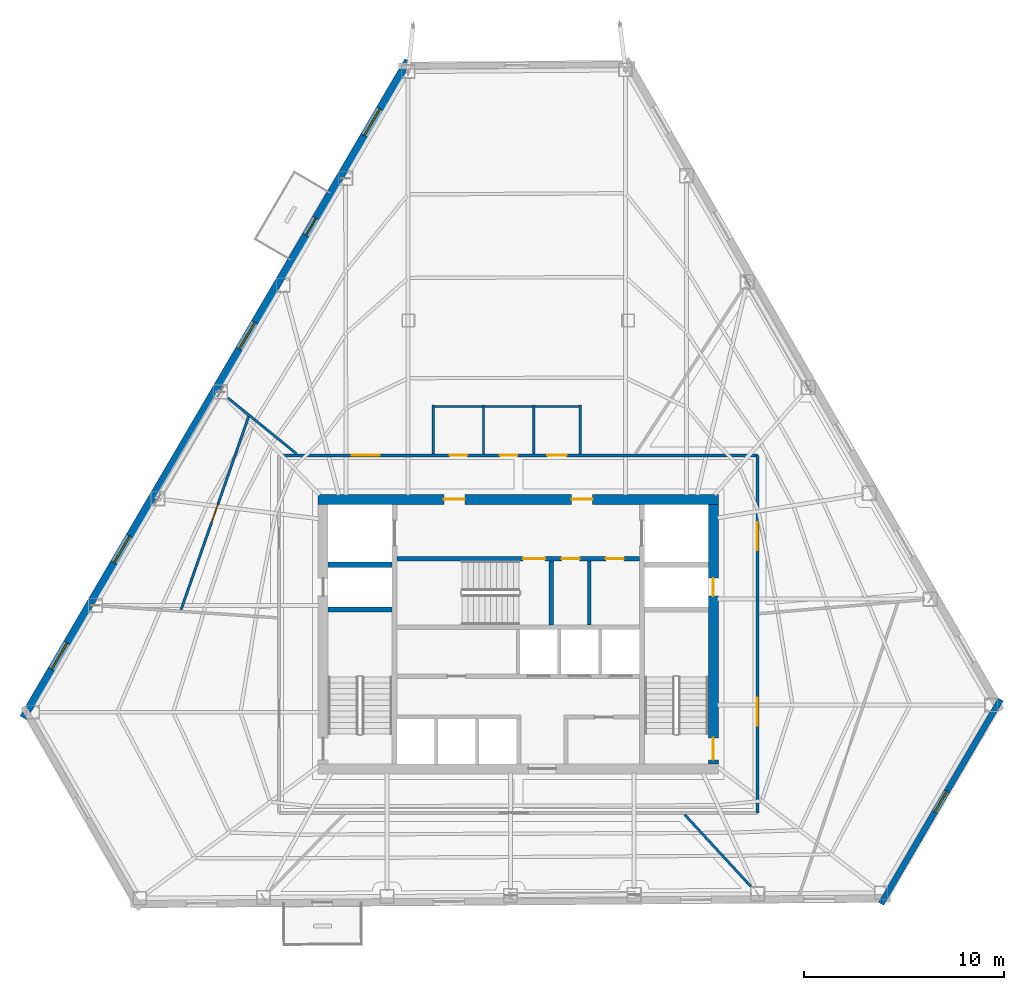
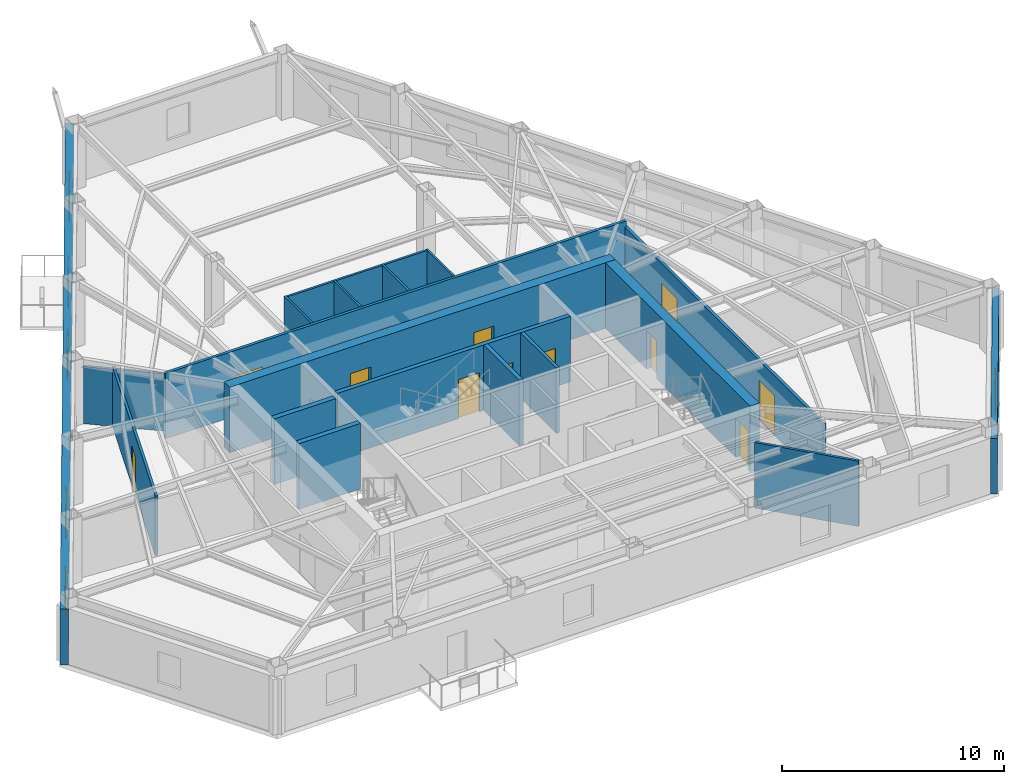
# One storey, part 9 of 12: 19 walls, 15 doors, 5 windows, 20 openings.
"""IFC4 building model written with IfcOpenShell, lengths in metres."""

from ifc_helpers import new_model, si_unit, direction, frame, frame_2d, origin, place, context, subcontext, project, spatial, rectangle, extrude, material, layer, layer_set, type_object, element, fill, save


model = new_model("IFC4")

# Units and contexts
model_context = context("Model", 3, precision=1e-05, world=origin(), true_north=direction((0.0, 1.0)))
body_context = subcontext(model_context, "Body", "Model", "MODEL_VIEW")
ifc_project = project(units=[si_unit("LENGTHUNIT", "METRE"), si_unit("AREAUNIT", "SQUARE_METRE"), si_unit("VOLUMEUNIT", "CUBIC_METRE"), si_unit("PLANEANGLEUNIT", "RADIAN"), si_unit("MASSUNIT", "GRAM", prefix="KILO")], contexts=[model_context])

# Site, building, storey
site_placement = place(None, origin())
site = spatial("IfcSite", under=ifc_project, at=site_placement, CompositionType="ELEMENT")
building_placement = place(site_placement, origin())
building = spatial("IfcBuilding", under=site, at=building_placement, Name="Kavelnor Concourse Tower", CompositionType="ELEMENT")
storey_placement = place(building_placement, frame((0.0, 0.0, 143.25)))
storey = spatial("IfcBuildingStorey", under=building, at=storey_placement, Name="L36", CompositionType="ELEMENT", Elevation=143.25)

# Wall, openings, doors
ifc_material_1 = material(Name="Concrete C60/75", Category="concrete")
ifc_layer_1 = layer(ifc_material_1, 0.5, Name="Concrete C60/75")
ifc_layer_set_1 = layer_set([ifc_layer_1], Name="Concrete C60/75")
wall_type_1 = type_object("IfcWallType", Name="WL-CORE-Z2-500", PredefinedType="SOLIDWALL", material=ifc_layer_set_1)
wall_1_placement = place(storey_placement, frame((27.97998046875, 22.85009765625, 0.0), z_axis=(0.0, 0.0, 1.0), x_axis=(1.0, 0.0, 0.0)))
wall_1 = element("IfcWall", 1, at=wall_1_placement, inside=storey, type_object=wall_type_1, Name="L36 Central Core North Shear Wall", PredefinedType="SOLIDWALL", context=body_context, shape_type="SweptSolid", body=[
    extrude(rectangle(XDim=20.0400390625, YDim=0.5, at=frame_2d((10.02001953125, 0.0))), origin(), (0.0, 0.0, 1.0), 3.60009765625),
])
opening_1_placement = place(wall_1_placement, frame((6.294921875, 0.0, 0.0)))
opening_1 = element("IfcOpeningElement", 2, at=opening_1_placement, cuts=wall_1, Name="Opening FD-105", PredefinedType="OPENING", context=body_context, shape_type="SweptSolid", body=[
    extrude(rectangle(XDim=1.050048828125, YDim=2.14990234375, at=frame_2d((0.52490234375, 1.074951171875))), frame((0.0, 0.260009765625, 0.0), z_axis=(0.0, -1.0, 0.0), x_axis=(1.0, 0.0, 0.0)), (0.0, 0.0, 1.0), 0.52001953125),
])
opening_2_placement = place(wall_1_placement, frame((12.695068359375, 0.0, 0.0)))
opening_2 = element("IfcOpeningElement", 3, at=opening_2_placement, cuts=wall_1, Name="Opening FD-105", PredefinedType="OPENING", context=body_context, shape_type="SweptSolid", body=[
    extrude(rectangle(XDim=1.050048828125, YDim=2.14990234375, at=frame_2d((0.52490234375, 1.074951171875))), frame((0.0, 0.260009765625, 0.0), z_axis=(0.0, -1.0, 0.0), x_axis=(1.0, 0.0, 0.0)), (0.0, 0.0, 1.0), 0.52001953125),
])
ifc_material_2 = material(Name="Steel Grade 350", Category="steel")
door_type_1 = type_object("IfcDoorType", Name="DR-LOBBY-FIRE-1050", OperationType="NOTDEFINED", PredefinedType="DOOR", material=ifc_material_2)
door_1_placement = place(opening_1_placement, origin())
door_1 = element("IfcDoor", 4, at=door_1_placement, inside=storey, type_object=door_type_1, Name="L36 Emergency Lift Lobby West Door", OperationType="SINGLE_SWING_LEFT", OverallHeight=2.14990234375, OverallWidth=1.050048828125, PredefinedType="DOOR", context=body_context, shape_type="SweptSolid", body=[
    extrude(rectangle(XDim=1.050048828125, YDim=2.14990234375, at=frame_2d((0.52490234375, 1.074951171875))), frame((0.0, 0.02490234375, 0.0), z_axis=(0.0, -1.0, 0.0), x_axis=(1.0, 0.0, 0.0)), (0.0, 0.0, 1.0), 0.050048828125),
])
fill(opening_1, door_1)
door_2_placement = place(opening_2_placement, origin())
door_2 = element("IfcDoor", 5, at=door_2_placement, inside=storey, type_object=door_type_1, Name="L36 Emergency Lift Lobby East Door", OperationType="SINGLE_SWING_RIGHT", OverallHeight=2.14990234375, OverallWidth=1.050048828125, PredefinedType="DOOR", context=body_context, shape_type="SweptSolid", body=[
    extrude(rectangle(XDim=1.050048828125, YDim=2.14990234375, at=frame_2d((0.52490234375, 1.074951171875))), frame((0.0, 0.02490234375, 0.0), z_axis=(0.0, -1.0, 0.0), x_axis=(1.0, 0.0, 0.0)), (0.0, 0.0, 1.0), 0.050048828125),
])
fill(opening_2, door_2)

wall_2_placement = place(storey_placement, frame((47.77001953125, 9.60009765625, 0.0), z_axis=(0.0, 0.0, 1.0), x_axis=(0.0, 1.0, 0.0)))
wall_2 = element("IfcWall", 6, at=wall_2_placement, inside=storey, type_object=wall_type_1, Name="L36 Central Core East Shear Wall", PredefinedType="SOLIDWALL", context=body_context, shape_type="SweptSolid", body=[
    extrude(rectangle(XDim=13.0, YDim=0.5, at=frame_2d((6.5, 0.0))), origin(), (0.0, 0.0, 1.0), 3.60009765625),
])
opening_3_placement = place(wall_2_placement, frame((0.199951171875, 0.0, 0.0)))
opening_3 = element("IfcOpeningElement", 7, at=opening_3_placement, cuts=wall_2, Name="Opening FD-110", PredefinedType="OPENING", context=body_context, shape_type="SweptSolid", body=[
    extrude(rectangle(XDim=1.10009765625, YDim=2.14990234375, at=frame_2d((0.550048828125, 1.074951171875))), frame((0.0, 0.260009765625, 0.0), z_axis=(0.0, -1.0, 0.0), x_axis=(1.0, 0.0, 0.0)), (0.0, 0.0, 1.0), 0.52001953125),
])
opening_4_placement = place(wall_2_placement, frame((8.39990234375, 0.0, 0.0)))
opening_4 = element("IfcOpeningElement", 8, at=opening_4_placement, cuts=wall_2, Name="Opening FD-090", PredefinedType="OPENING", context=body_context, shape_type="SweptSolid", body=[
    extrude(rectangle(XDim=0.89990234375, YDim=2.10009765625, at=frame_2d((0.449951171875, 1.050048828125))), frame((0.0, 0.260009765625, 0.0), z_axis=(0.0, -1.0, 0.0), x_axis=(1.0, 0.0, 0.0)), (0.0, 0.0, 1.0), 0.52001953125),
])
door_type_2 = type_object("IfcDoorType", Name="DR-RISER-FIRE-900", OperationType="NOTDEFINED", PredefinedType="DOOR", material=ifc_material_2)
door_3_placement = place(opening_4_placement, origin())
door_3 = element("IfcDoor", 9, at=door_3_placement, inside=storey, type_object=door_type_2, Name="L36 East Riser Access Door", OperationType="SINGLE_SWING_LEFT", OverallHeight=2.10009765625, OverallWidth=0.89990234375, PredefinedType="DOOR", context=body_context, shape_type="SweptSolid", body=[
    extrude(rectangle(XDim=0.89990234375, YDim=2.10009765625, at=frame_2d((0.449951171875, 1.050048828125))), frame((0.0, 0.02490234375, 0.0), z_axis=(0.0, -1.0, 0.0), x_axis=(1.0, 0.0, 0.0)), (0.0, 0.0, 1.0), 0.050048828125),
])
fill(opening_4, door_3)
door_type_3 = type_object("IfcDoorType", Name="DR-STAIR-FIRE-1100", OperationType="NOTDEFINED", PredefinedType="DOOR", material=ifc_material_2)
door_4_placement = place(opening_3_placement, origin())
door_4 = element("IfcDoor", 10, at=door_4_placement, inside=storey, type_object=door_type_3, Name="L36 Stair ST2 Fire Door", OperationType="SINGLE_SWING_RIGHT", OverallHeight=2.14990234375, OverallWidth=1.10009765625, PredefinedType="DOOR", context=body_context, shape_type="SweptSolid", body=[
    extrude(rectangle(XDim=1.10009765625, YDim=2.14990234375, at=frame_2d((0.550048828125, 1.074951171875))), frame((0.0, 0.02490234375, 0.0), z_axis=(0.0, -1.0, 0.0), x_axis=(1.0, 0.0, 0.0)), (0.0, 0.0, 1.0), 0.050048828125),
])
fill(opening_3, door_4)

# Wall, opening, window
ifc_material_3 = material(Name="Buff ironspot clay face brick masonry", Category="masonry")
ifc_layer_2 = layer(ifc_material_3, 0.300048828125, Name="Buff ironspot clay face brick masonry")
ifc_layer_set_2 = layer_set([ifc_layer_2], Name="Buff ironspot clay face brick masonry")
wall_type_2 = type_object("IfcWallType", Name="WL-EXT-BUFF-BRICK-FOLD-300", PredefinedType="STANDARD", material=ifc_layer_set_2)
wall_3_placement = place(storey_placement, frame((62.1513671875, 12.82861328125, 0.0), z_axis=(0.0, 0.0, 1.0), x_axis=(-0.50546204521, -0.862848840094, 0.0)))
wall_3 = element("IfcWall", 11, at=wall_3_placement, inside=storey, type_object=wall_type_2, Name="L36 Exterior Brick Facade Wall E4", PredefinedType="STANDARD", context=body_context, shape_type="SweptSolid", body=[
    extrude(rectangle(XDim=11.85302734375, YDim=0.300048828125, at=frame_2d((5.926513671875, 0.0))), origin(), (0.0, 0.0, 1.0), 3.05908203125),
])
opening_5_placement = place(wall_3_placement, frame((5.326416015625, 0.0, 0.64990234375)))
opening_5 = element("IfcOpeningElement", 12, at=opening_5_placement, cuts=wall_3, Name="Opening W-05", PredefinedType="OPENING", context=body_context, shape_type="SweptSolid", body=[
    extrude(rectangle(XDim=1.199951171875, YDim=1.699951171875, at=frame_2d((0.60009765625, 0.85009765625))), frame((0.0, 0.16015625, 0.0), z_axis=(0.0, -1.0, 0.0), x_axis=(1.0, 0.0, 0.0)), (0.0, 0.0, 1.0), 0.320068359375),
])
ifc_material_4 = material(Name="Double low-E argon insulated glazing", Category="glass")
window_type_1 = type_object("IfcWindowType", Name="WIN-FOLD-1200", PartitioningType="SINGLE_PANEL", PredefinedType="WINDOW", material=ifc_material_4)
window_1_placement = place(opening_5_placement, origin())
window_1 = element("IfcWindow", 13, at=window_1_placement, inside=storey, type_object=window_type_1, Name="L36 Chamfer-Fold Facet Window C2", OverallHeight=1.699951171875, OverallWidth=1.199951171875, PartitioningType="SINGLE_PANEL", PredefinedType="WINDOW", context=body_context, shape_type="SweptSolid", body=[
    extrude(rectangle(XDim=1.199951171875, YDim=1.699951171875, at=frame_2d((0.60009765625, 0.85009765625))), frame((0.0, 0.030029296875, 0.0), z_axis=(0.0, -1.0, 0.0), x_axis=(1.0, 0.0, 0.0)), (0.0, 0.0, 1.0), 0.06005859375),
])
fill(opening_5, window_1)

# Wall, openings, door, windows
ifc_material_5 = material(Name="Red-ochre clay face brick masonry", Category="masonry")
ifc_layer_3 = layer(ifc_material_5, 0.3798828125, Name="Red-ochre clay face brick masonry")
ifc_layer_set_3 = layer_set([ifc_layer_3], Name="Red-ochre clay face brick masonry")
wall_type_3 = type_object("IfcWallType", Name="WL-EXT-RED-BRICK-PIER-380", PredefinedType="STANDARD", material=ifc_layer_set_3)
wall_4_placement = place(storey_placement, frame((13.222900390625, 11.909912109375, 0.0), z_axis=(0.0, 0.0, 1.0), x_axis=(0.505453242286, 0.86285399684, 0.0)))
wall_4 = element("IfcWall", 14, at=wall_4_placement, inside=storey, type_object=wall_type_3, Name="L36 Exterior Brick Facade Wall E1", PredefinedType="STANDARD", context=body_context, shape_type="SweptSolid", body=[
    extrude(rectangle(XDim=38.125244140625, YDim=0.3798828125, at=frame_2d((19.0625, 0.0))), origin(), (0.0, 0.0, 1.0), 3.05908203125),
])
opening_6_placement = place(wall_4_placement, frame((27.993896484375, 0.0, 0.0)))
opening_6 = element("IfcOpeningElement", 15, at=opening_6_placement, cuts=wall_4, Name="Opening BD-100", PredefinedType="OPENING", context=body_context, shape_type="SweptSolid", body=[
    extrude(rectangle(XDim=1.0, YDim=2.199951171875, at=frame_2d((0.5, 1.10009765625))), frame((0.0, 0.199951171875, 0.0), z_axis=(0.0, -1.0, 0.0), x_axis=(1.0, 0.0, 0.0)), (0.0, 0.0, 1.0), 0.39990234375),
])
opening_7_placement = place(wall_4_placement, frame((33.779541015625, 0.0, 0.64990234375)))
opening_7 = element("IfcOpeningElement", 16, at=opening_7_placement, cuts=wall_4, Name="Opening W-02", PredefinedType="OPENING", context=body_context, shape_type="SweptSolid", body=[
    extrude(rectangle(XDim=1.550048828125, YDim=1.75, at=frame_2d((0.77490234375, 0.875))), frame((0.0, 0.199951171875, 0.0), z_axis=(0.0, -1.0, 0.0), x_axis=(1.0, 0.0, 0.0)), (0.0, 0.0, 1.0), 0.39990234375),
])
opening_8_placement = place(wall_4_placement, frame((21.38818359375, 0.0, 0.64990234375)))
opening_8 = element("IfcOpeningElement", 17, at=opening_8_placement, cuts=wall_4, Name="Opening W-02", PredefinedType="OPENING", context=body_context, shape_type="SweptSolid", body=[
    extrude(rectangle(XDim=1.550048828125, YDim=1.75, at=frame_2d((0.77490234375, 0.875))), frame((0.0, 0.199951171875, 0.0), z_axis=(0.0, -1.0, 0.0), x_axis=(1.0, 0.0, 0.0)), (0.0, 0.0, 1.0), 0.39990234375),
])
opening_9_placement = place(wall_4_placement, frame((8.997314453125, 0.0, 0.64990234375)))
opening_9 = element("IfcOpeningElement", 18, at=opening_9_placement, cuts=wall_4, Name="Opening W-02", PredefinedType="OPENING", context=body_context, shape_type="SweptSolid", body=[
    extrude(rectangle(XDim=1.550048828125, YDim=1.75, at=frame_2d((0.77490234375, 0.875))), frame((0.0, 0.199951171875, 0.0), z_axis=(0.0, -1.0, 0.0), x_axis=(1.0, 0.0, 0.0)), (0.0, 0.0, 1.0), 0.39990234375),
])
opening_10_placement = place(wall_4_placement, frame((2.801513671875, 0.0, 0.64990234375)))
opening_10 = element("IfcOpeningElement", 19, at=opening_10_placement, cuts=wall_4, Name="Opening W-02", PredefinedType="OPENING", context=body_context, shape_type="SweptSolid", body=[
    extrude(rectangle(XDim=1.550048828125, YDim=1.75, at=frame_2d((0.77490234375, 0.875))), frame((0.0, 0.199951171875, 0.0), z_axis=(0.0, -1.0, 0.0), x_axis=(1.0, 0.0, 0.0)), (0.0, 0.0, 1.0), 0.39990234375),
])
ifc_material_6 = material(Name="Anodised aluminium 6063-T6", Category="aluminium")
door_type_4 = type_object("IfcDoorType", Name="DR-BALCONY-EXT-1000", OperationType="NOTDEFINED", PredefinedType="DOOR", material=ifc_material_6)
door_5_placement = place(opening_6_placement, origin())
door_5 = element("IfcDoor", 20, at=door_5_placement, inside=storey, type_object=door_type_4, Name="L36 Tree Balcony 1 Glazed Door", OperationType="SINGLE_SWING_LEFT", OverallHeight=2.199951171875, OverallWidth=1.0, PredefinedType="DOOR", context=body_context, shape_type="SweptSolid", body=[
    extrude(rectangle(XDim=1.0, YDim=2.199951171875, at=frame_2d((0.5, 1.10009765625))), frame((0.0, 0.02490234375, 0.0), z_axis=(0.0, -1.0, 0.0), x_axis=(1.0, 0.0, 0.0)), (0.0, 0.0, 1.0), 0.050048828125),
])
fill(opening_6, door_5)
window_type_2 = type_object("IfcWindowType", Name="WIN-PIER-Z2-1650", PartitioningType="SINGLE_PANEL", PredefinedType="WINDOW", material=ifc_material_4)
window_2_placement = place(opening_7_placement, origin())
window_2 = element("IfcWindow", 21, at=window_2_placement, inside=storey, type_object=window_type_2, Name="L36 Deep-Set Brick Pier Window F0-B0", OverallHeight=1.75, OverallWidth=1.550048828125, PartitioningType="SINGLE_PANEL", PredefinedType="WINDOW", context=body_context, shape_type="SweptSolid", body=[
    extrude(rectangle(XDim=1.550048828125, YDim=1.75, at=frame_2d((0.77490234375, 0.875))), frame((0.0, 0.030029296875, 0.0), z_axis=(0.0, -1.0, 0.0), x_axis=(1.0, 0.0, 0.0)), (0.0, 0.0, 1.0), 0.06005859375),
])
fill(opening_7, window_2)
window_3_placement = place(opening_8_placement, origin())
window_3 = element("IfcWindow", 22, at=window_3_placement, inside=storey, type_object=window_type_2, Name="L36 Deep-Set Brick Pier Window F0-B2", OverallHeight=1.75, OverallWidth=1.550048828125, PartitioningType="SINGLE_PANEL", PredefinedType="WINDOW", context=body_context, shape_type="SweptSolid", body=[
    extrude(rectangle(XDim=1.550048828125, YDim=1.75, at=frame_2d((0.77490234375, 0.875))), frame((0.0, 0.030029296875, 0.0), z_axis=(0.0, -1.0, 0.0), x_axis=(1.0, 0.0, 0.0)), (0.0, 0.0, 1.0), 0.06005859375),
])
fill(opening_8, window_3)
window_4_placement = place(opening_9_placement, origin())
window_4 = element("IfcWindow", 23, at=window_4_placement, inside=storey, type_object=window_type_2, Name="L36 Deep-Set Brick Pier Window F0-B4", OverallHeight=1.75, OverallWidth=1.550048828125, PartitioningType="SINGLE_PANEL", PredefinedType="WINDOW", context=body_context, shape_type="SweptSolid", body=[
    extrude(rectangle(XDim=1.550048828125, YDim=1.75, at=frame_2d((0.77490234375, 0.875))), frame((0.0, 0.030029296875, 0.0), z_axis=(0.0, -1.0, 0.0), x_axis=(1.0, 0.0, 0.0)), (0.0, 0.0, 1.0), 0.06005859375),
])
fill(opening_9, window_4)
window_5_placement = place(opening_10_placement, origin())
window_5 = element("IfcWindow", 24, at=window_5_placement, inside=storey, type_object=window_type_2, Name="L36 Deep-Set Brick Pier Window F0-B5", OverallHeight=1.75, OverallWidth=1.550048828125, PartitioningType="SINGLE_PANEL", PredefinedType="WINDOW", context=body_context, shape_type="SweptSolid", body=[
    extrude(rectangle(XDim=1.550048828125, YDim=1.75, at=frame_2d((0.77490234375, 0.875))), frame((0.0, 0.030029296875, 0.0), z_axis=(0.0, -1.0, 0.0), x_axis=(1.0, 0.0, 0.0)), (0.0, 0.0, 1.0), 0.06005859375),
])
fill(opening_10, window_5)

# Wall, openings, doors
ifc_material_7 = material(Name="Gypsum plasterboard on light-gauge steel studs", Category="steel")
ifc_layer_4 = layer(ifc_material_7, 0.14501953125, Name="Gypsum plasterboard on light-gauge steel studs")
ifc_layer_set_4 = layer_set([ifc_layer_4], Name="Gypsum plasterboard on light-gauge steel studs")
wall_type_4 = type_object("IfcWallType", Name="WL-INT-CORR-145", PredefinedType="PARTITIONING", material=ifc_layer_set_4)
wall_5_placement = place(storey_placement, frame((49.969970703125, 7.14990234375, 0.0), z_axis=(0.0, 0.0, 1.0), x_axis=(0.0, 1.0, 0.0)))
wall_5 = element("IfcWall", 25, at=wall_5_placement, inside=storey, type_object=wall_type_4, Name="L36 Corridor Wall WL-L36-CR-01", PredefinedType="PARTITIONING", context=body_context, shape_type="SweptSolid", body=[
    extrude(rectangle(XDim=17.900146484375, YDim=0.14501953125, at=frame_2d((8.9501953125, 0.0))), origin(), (0.0, 0.0, 1.0), 3.2880859375),
])
opening_11_placement = place(wall_5_placement, frame((13.15087890625, 0.0, 0.0)))
opening_11 = element("IfcOpeningElement", 26, at=opening_11_placement, cuts=wall_5, Name="Opening SD-140", PredefinedType="OPENING", context=body_context, shape_type="SweptSolid", body=[
    extrude(rectangle(XDim=1.39990234375, YDim=2.199951171875, at=frame_2d((0.699951171875, 1.10009765625))), frame((0.0, 0.08251953125, 0.0), z_axis=(0.0, -1.0, 0.0), x_axis=(1.0, 0.0, 0.0)), (0.0, 0.0, 1.0), 0.1650390625),
])
opening_12_placement = place(wall_5_placement, frame((4.371826171875, 0.0, 0.0)))
opening_12 = element("IfcOpeningElement", 27, at=opening_12_placement, cuts=wall_5, Name="Opening SD-140", PredefinedType="OPENING", context=body_context, shape_type="SweptSolid", body=[
    extrude(rectangle(XDim=1.39990234375, YDim=2.199951171875, at=frame_2d((0.699951171875, 1.10009765625))), frame((0.0, 0.08251953125, 0.0), z_axis=(0.0, -1.0, 0.0), x_axis=(1.0, 0.0, 0.0)), (0.0, 0.0, 1.0), 0.1650390625),
])
ifc_material_8 = material(Name="Solid-core hardwood timber", Category="wood")
door_type_5 = type_object("IfcDoorType", Name="DR-SUITE-ENTRY-1400", OperationType="NOTDEFINED", PredefinedType="DOOR", material=ifc_material_8)
door_6_placement = place(opening_11_placement, origin())
door_6 = element("IfcDoor", 28, at=door_6_placement, inside=storey, type_object=door_type_5, Name="L36 Building Staff Breakroom 01 Door", OperationType="SINGLE_SWING_RIGHT", OverallHeight=2.199951171875, OverallWidth=1.39990234375, PredefinedType="DOOR", context=body_context, shape_type="SweptSolid", body=[
    extrude(rectangle(XDim=1.39990234375, YDim=2.199951171875, at=frame_2d((0.699951171875, 1.10009765625))), frame((0.0, 0.02490234375, 0.0), z_axis=(0.0, -1.0, 0.0), x_axis=(1.0, 0.0, 0.0)), (0.0, 0.0, 1.0), 0.050048828125),
])
fill(opening_11, door_6)
door_7_placement = place(opening_12_placement, origin())
door_7 = element("IfcDoor", 29, at=door_7_placement, inside=storey, type_object=door_type_5, Name="L36 Workplace Open Office 07 Door", OperationType="SINGLE_SWING_RIGHT", OverallHeight=2.199951171875, OverallWidth=1.39990234375, PredefinedType="DOOR", context=body_context, shape_type="SweptSolid", body=[
    extrude(rectangle(XDim=1.39990234375, YDim=2.199951171875, at=frame_2d((0.699951171875, 1.10009765625))), frame((0.0, 0.02490234375, 0.0), z_axis=(0.0, -1.0, 0.0), x_axis=(1.0, 0.0, 0.0)), (0.0, 0.0, 1.0), 0.050048828125),
])
fill(opening_12, door_7)

wall_6_placement = place(storey_placement, frame((49.969970703125, 25.050048828125, 0.0), z_axis=(0.0, 0.0, 1.0), x_axis=(-1.0, 0.0, 0.0)))
wall_6 = element("IfcWall", 30, at=wall_6_placement, inside=storey, type_object=wall_type_4, Name="L36 Corridor Wall WL-L36-CR-02", PredefinedType="PARTITIONING", context=body_context, shape_type="SweptSolid", body=[
    extrude(rectangle(XDim=23.93994140625, YDim=0.14501953125, at=frame_2d((11.969970703125, 0.0))), origin(), (0.0, 0.0, 1.0), 3.60009765625),
])
opening_13_placement = place(wall_6_placement, frame((14.530029296875, 0.0, 0.0)))
opening_13 = element("IfcOpeningElement", 31, at=opening_13_placement, cuts=wall_6, Name="Opening WD-088", PredefinedType="OPENING", context=body_context, shape_type="SweptSolid", body=[
    extrude(rectangle(XDim=0.8798828125, YDim=2.10009765625, at=frame_2d((0.43994140625, 1.050048828125))), frame((0.0, 0.08251953125, 0.0), z_axis=(0.0, -1.0, 0.0), x_axis=(1.0, 0.0, 0.0)), (0.0, 0.0, 1.0), 0.1650390625),
])
opening_14_placement = place(wall_6_placement, frame((12.010009765625, 0.0, 0.0)))
opening_14 = element("IfcOpeningElement", 32, at=opening_14_placement, cuts=wall_6, Name="Opening WD-088", PredefinedType="OPENING", context=body_context, shape_type="SweptSolid", body=[
    extrude(rectangle(XDim=0.8798828125, YDim=2.10009765625, at=frame_2d((0.43994140625, 1.050048828125))), frame((0.0, 0.08251953125, 0.0), z_axis=(0.0, -1.0, 0.0), x_axis=(1.0, 0.0, 0.0)), (0.0, 0.0, 1.0), 0.1650390625),
])
opening_15_placement = place(wall_6_placement, frame((9.550048828125, 0.0, 0.0)))
opening_15 = element("IfcOpeningElement", 33, at=opening_15_placement, cuts=wall_6, Name="Opening WD-096", PredefinedType="OPENING", context=body_context, shape_type="SweptSolid", body=[
    extrude(rectangle(XDim=0.9599609375, YDim=2.10009765625, at=frame_2d((0.47998046875, 1.050048828125))), frame((0.0, 0.08251953125, 0.0), z_axis=(0.0, -1.0, 0.0), x_axis=(1.0, 0.0, 0.0)), (0.0, 0.0, 1.0), 0.1650390625),
])
opening_16_placement = place(wall_6_placement, frame((18.893798828125, 0.0, 0.0)))
opening_16 = element("IfcOpeningElement", 34, at=opening_16_placement, cuts=wall_6, Name="Opening SD-140", PredefinedType="OPENING", context=body_context, shape_type="SweptSolid", body=[
    extrude(rectangle(XDim=1.39990234375, YDim=2.199951171875, at=frame_2d((0.699951171875, 1.10009765625))), frame((0.0, 0.08251953125, 0.0), z_axis=(0.0, -1.0, 0.0), x_axis=(1.0, 0.0, 0.0)), (0.0, 0.0, 1.0), 0.1650390625),
])
door_8_placement = place(opening_16_placement, origin())
door_8 = element("IfcDoor", 35, at=door_8_placement, inside=storey, type_object=door_type_5, Name="L36 Tenant Bookstore Retail Shop 02 Door", OperationType="SINGLE_SWING_LEFT", OverallHeight=2.199951171875, OverallWidth=1.39990234375, PredefinedType="DOOR", context=body_context, shape_type="SweptSolid", body=[
    extrude(rectangle(XDim=1.39990234375, YDim=2.199951171875, at=frame_2d((0.699951171875, 1.10009765625))), frame((0.0, 0.02490234375, 0.0), z_axis=(0.0, -1.0, 0.0), x_axis=(1.0, 0.0, 0.0)), (0.0, 0.0, 1.0), 0.050048828125),
])
fill(opening_16, door_8)
door_type_6 = type_object("IfcDoorType", Name="DR-WC-ACC-960", OperationType="NOTDEFINED", PredefinedType="DOOR", material=ifc_material_8)
door_9_placement = place(opening_15_placement, origin())
door_9 = element("IfcDoor", 36, at=door_9_placement, inside=storey, type_object=door_type_6, Name="L36 Accessible WC Door", OperationType="SINGLE_SWING_RIGHT", OverallHeight=2.10009765625, OverallWidth=0.9599609375, PredefinedType="DOOR", context=body_context, shape_type="SweptSolid", body=[
    extrude(rectangle(XDim=0.9599609375, YDim=2.10009765625, at=frame_2d((0.47998046875, 1.050048828125))), frame((0.0, 0.02490234375, 0.0), z_axis=(0.0, -1.0, 0.0), x_axis=(1.0, 0.0, 0.0)), (0.0, 0.0, 1.0), 0.050048828125),
])
fill(opening_15, door_9)
door_type_7 = type_object("IfcDoorType", Name="DR-WC-STD-880", OperationType="NOTDEFINED", PredefinedType="DOOR", material=ifc_material_8)
door_10_placement = place(opening_13_placement, origin())
door_10 = element("IfcDoor", 37, at=door_10_placement, inside=storey, type_object=door_type_7, Name="L36 Male WC Door", OperationType="SINGLE_SWING_RIGHT", OverallHeight=2.10009765625, OverallWidth=0.8798828125, PredefinedType="DOOR", context=body_context, shape_type="SweptSolid", body=[
    extrude(rectangle(XDim=0.8798828125, YDim=2.10009765625, at=frame_2d((0.43994140625, 1.050048828125))), frame((0.0, 0.02490234375, 0.0), z_axis=(0.0, -1.0, 0.0), x_axis=(1.0, 0.0, 0.0)), (0.0, 0.0, 1.0), 0.050048828125),
])
fill(opening_13, door_10)
door_11_placement = place(opening_14_placement, origin())
door_11 = element("IfcDoor", 38, at=door_11_placement, inside=storey, type_object=door_type_7, Name="L36 Female WC Door", OperationType="SINGLE_SWING_LEFT", OverallHeight=2.10009765625, OverallWidth=0.8798828125, PredefinedType="DOOR", context=body_context, shape_type="SweptSolid", body=[
    extrude(rectangle(XDim=0.8798828125, YDim=2.10009765625, at=frame_2d((0.43994140625, 1.050048828125))), frame((0.0, 0.02490234375, 0.0), z_axis=(0.0, -1.0, 0.0), x_axis=(1.0, 0.0, 0.0)), (0.0, 0.0, 1.0), 0.050048828125),
])
fill(opening_14, door_11)

# Walls
ifc_layer_5 = layer(ifc_material_7, 0.1650390625, Name="Gypsum plasterboard on light-gauge steel studs")
ifc_layer_set_5 = layer_set([ifc_layer_5], Name="Gypsum plasterboard on light-gauge steel studs")
wall_type_5 = type_object("IfcWallType", Name="WL-INT-FIRE-165", PredefinedType="PARTITIONING", material=ifc_layer_set_5)
wall_7_placement = place(storey_placement, frame((41.550048828125, 16.56005859375, 0.0), z_axis=(0.0, 0.0, 1.0), x_axis=(0.0, 1.0, 0.0)))
element("IfcWall", 39, at=wall_7_placement, inside=storey, type_object=wall_type_5, Name="L36 Core North Support Divider", PredefinedType="PARTITIONING", context=body_context, shape_type="SweptSolid", body=[
    extrude(rectangle(XDim=3.199951171875, YDim=0.1650390625, at=frame_2d((1.60009765625, 0.0))), origin(), (0.0, 0.0, 1.0), 3.60009765625),
])
ifc_layer_6 = layer(ifc_material_7, 0.125, Name="Gypsum plasterboard on light-gauge steel studs")
ifc_layer_set_6 = layer_set([ifc_layer_6], Name="Gypsum plasterboard on light-gauge steel studs")
wall_type_6 = type_object("IfcWallType", Name="WL-INT-SUITE-125", PredefinedType="PARTITIONING", material=ifc_layer_set_6)
wall_8_placement = place(storey_placement, frame((26.896484375, 25.130615234375, 0.0), z_axis=(0.0, 0.0, 1.0), x_axis=(-0.775820524707, 0.630953653958, 0.0)))
element("IfcWall", 40, at=wall_8_placement, inside=storey, type_object=wall_type_6, Name="L36 Radial Suite Partition 03", PredefinedType="PARTITIONING", context=body_context, shape_type="SweptSolid", body=[
    extrude(rectangle(XDim=4.428955078125, YDim=0.125, at=frame_2d((2.21435546875, 0.0))), origin(), (0.0, 0.0, 1.0), 3.14111328125),
])
wall_9_placement = place(storey_placement, frame((46.323486328125, 7.069580078125, 0.0), z_axis=(0.0, 0.0, 1.0), x_axis=(0.677760289315, -0.735282932094, 0.0)))
element("IfcWall", 41, at=wall_9_placement, inside=storey, type_object=wall_type_6, Name="L36 Radial Suite Partition 06", PredefinedType="PARTITIONING", context=body_context, shape_type="SweptSolid", body=[
    extrude(rectangle(XDim=4.89794921875, YDim=0.125, at=frame_2d((2.448974609375, 0.0))), origin(), (0.0, 0.0, 1.0), 3.60009765625),
])

# Wall, opening, door
wall_10_placement = place(storey_placement, frame((24.5224609375, 27.0419921875, 0.0), z_axis=(0.0, 0.0, 1.0), x_axis=(-0.330346228004, -0.943859825209, 0.0)))
wall_10 = element("IfcWall", 42, at=wall_10_placement, inside=storey, type_object=wall_type_6, Name="L36 Suite Subdivision Partition 03", PredefinedType="PARTITIONING", context=body_context, shape_type="SweptSolid", body=[
    extrude(rectangle(XDim=10.364990234375, YDim=0.125, at=frame_2d((5.1826171875, 0.0))), origin(), (0.0, 0.0, 1.0), 3.2880859375),
])
opening_17_placement = place(wall_10_placement, frame((4.6953125, 0.0, 0.0)))
opening_17 = element("IfcOpeningElement", 43, at=opening_17_placement, cuts=wall_10, Name="Opening OD-098", PredefinedType="OPENING", context=body_context, shape_type="SweptSolid", body=[
    extrude(rectangle(XDim=0.97998046875, YDim=2.14990234375, at=frame_2d((0.489990234375, 1.074951171875))), frame((0.0, 0.072509765625, 0.0), z_axis=(0.0, -1.0, 0.0), x_axis=(1.0, 0.0, 0.0)), (0.0, 0.0, 1.0), 0.14501953125),
])
door_type_8 = type_object("IfcDoorType", Name="DR-OFFICE-980", OperationType="NOTDEFINED", PredefinedType="DOOR", material=ifc_material_8)
door_12_placement = place(opening_17_placement, origin())
door_12 = element("IfcDoor", 44, at=door_12_placement, inside=storey, type_object=door_type_8, Name="L36 Building Staff Breakroom 04 Door", OperationType="SINGLE_SWING_LEFT", OverallHeight=2.14990234375, OverallWidth=0.97998046875, PredefinedType="DOOR", context=body_context, shape_type="SweptSolid", body=[
    extrude(rectangle(XDim=0.97998046875, YDim=2.14990234375, at=frame_2d((0.489990234375, 1.074951171875))), frame((0.0, 0.02490234375, 0.0), z_axis=(0.0, -1.0, 0.0), x_axis=(1.0, 0.0, 0.0)), (0.0, 0.0, 1.0), 0.050048828125),
])
fill(opening_17, door_12)

# Walls
ifc_layer_7 = layer(ifc_material_7, 0.110107421875, Name="Gypsum plasterboard on light-gauge steel studs")
ifc_layer_set_7 = layer_set([ifc_layer_7], Name="Gypsum plasterboard on light-gauge steel studs")
wall_type_7 = type_object("IfcWallType", Name="WL-INT-WC-110", PredefinedType="PLUMBINGWALL", material=ifc_layer_set_7)
for number, where, z_axis, x_axis, name in (
    (45, (33.739990234375, 25.1201171875, 0.0), (0.0, 0.0, 1.0), (0.0, 1.0, 0.0), "L36 Sanitary Partition WL-L36-WC-W"),
    (46, (36.260009765625, 25.1201171875, 0.0), (0.0, 0.0, 1.0), (0.0, 1.0, 0.0), "L36 Sanitary Partition WL-L36-WC-D1"),
    (47, (38.780029296875, 25.1201171875, 0.0), (0.0, 0.0, 1.0), (0.0, 1.0, 0.0), "L36 Sanitary Partition WL-L36-WC-D2"),
    (48, (41.10009765625, 25.1201171875, 0.0), (0.0, 0.0, 1.0), (0.0, 1.0, 0.0), "L36 Sanitary Partition WL-L36-WC-E"),
):
    element("IfcWall", number, at=place(storey_placement, frame(where, z_axis=z_axis, x_axis=x_axis)), inside=storey, type_object=wall_type_7, Name=name, PredefinedType="PLUMBINGWALL", context=body_context, shape_type="SweptSolid", body=[
        extrude(rectangle(XDim=2.43994140625, YDim=0.110107421875, at=frame_2d((1.219970703125, 0.0))), origin(), (0.0, 0.0, 1.0), 3.60009765625),
    ])
wall_11_placement = place(storey_placement, frame((33.68994140625, 27.5, 0.0), z_axis=(0.0, 0.0, 1.0), x_axis=(1.0, 0.0, 0.0)))
element("IfcWall", 49, at=wall_11_placement, inside=storey, type_object=wall_type_7, Name="L36 Sanitary Partition WL-L36-WC-N", PredefinedType="PLUMBINGWALL", context=body_context, shape_type="SweptSolid", body=[
    extrude(rectangle(XDim=7.4599609375, YDim=0.110107421875, at=frame_2d((3.72998046875, 0.0))), origin(), (0.0, 0.0, 1.0), 3.60009765625),
])

# Wall, openings, doors
ifc_material_9 = material(Name="Concrete C50/60", Category="concrete")
ifc_layer_8 = layer(ifc_material_9, 0.219970703125, Name="Concrete C50/60")
ifc_layer_set_8 = layer_set([ifc_layer_8], Name="Concrete C50/60")
wall_type_8 = type_object("IfcWallType", Name="WL-SHAFT-220", PredefinedType="SOLIDWALL", material=ifc_layer_set_8)
wall_12_placement = place(storey_placement, frame((31.93994140625, 19.8701171875, 0.0), z_axis=(0.0, 0.0, 1.0), x_axis=(1.0, 0.0, 0.0)))
wall_12 = element("IfcWall", 50, at=wall_12_placement, inside=storey, type_object=wall_type_8, Name="L36 Emergency Lift Lobby South Wall", PredefinedType="SOLIDWALL", context=body_context, shape_type="SweptSolid", body=[
    extrude(rectangle(XDim=12.1201171875, YDim=0.219970703125, at=frame_2d((6.06005859375, 0.0))), origin(), (0.0, 0.0, 1.0), 3.60009765625),
])
opening_18_placement = place(wall_12_placement, frame((6.300048828125, 0.0, 0.0)))
opening_18 = element("IfcOpeningElement", 51, at=opening_18_placement, cuts=wall_12, Name="Opening FD-110", PredefinedType="OPENING", context=body_context, shape_type="SweptSolid", body=[
    extrude(rectangle(XDim=1.10009765625, YDim=2.14990234375, at=frame_2d((0.550048828125, 1.074951171875))), frame((0.0, 0.1201171875, 0.0), z_axis=(0.0, -1.0, 0.0), x_axis=(1.0, 0.0, 0.0)), (0.0, 0.0, 1.0), 0.239990234375),
])
opening_19_placement = place(wall_12_placement, frame((8.22998046875, 0.0, 0.0)))
opening_19 = element("IfcOpeningElement", 52, at=opening_19_placement, cuts=wall_12, Name="Opening FD-090", PredefinedType="OPENING", context=body_context, shape_type="SweptSolid", body=[
    extrude(rectangle(XDim=0.89990234375, YDim=2.10009765625, at=frame_2d((0.449951171875, 1.050048828125))), frame((0.0, 0.1201171875, 0.0), z_axis=(0.0, -1.0, 0.0), x_axis=(1.0, 0.0, 0.0)), (0.0, 0.0, 1.0), 0.239990234375),
])
opening_20_placement = place(wall_12_placement, frame((10.449951171875, 0.0, 0.0)))
opening_20 = element("IfcOpeningElement", 53, at=opening_20_placement, cuts=wall_12, Name="Opening FD-090", PredefinedType="OPENING", context=body_context, shape_type="SweptSolid", body=[
    extrude(rectangle(XDim=0.89990234375, YDim=2.10009765625, at=frame_2d((0.449951171875, 1.050048828125))), frame((0.0, 0.1201171875, 0.0), z_axis=(0.0, -1.0, 0.0), x_axis=(1.0, 0.0, 0.0)), (0.0, 0.0, 1.0), 0.239990234375),
])
door_13_placement = place(opening_19_placement, origin())
door_13 = element("IfcDoor", 54, at=door_13_placement, inside=storey, type_object=door_type_2, Name="L36 Telecom Room Door", OperationType="SINGLE_SWING_LEFT", OverallHeight=2.10009765625, OverallWidth=0.89990234375, PredefinedType="DOOR", context=body_context, shape_type="SweptSolid", body=[
    extrude(rectangle(XDim=0.89990234375, YDim=2.10009765625, at=frame_2d((0.449951171875, 1.050048828125))), frame((0.0, 0.02490234375, 0.0), z_axis=(0.0, -1.0, 0.0), x_axis=(1.0, 0.0, 0.0)), (0.0, 0.0, 1.0), 0.050048828125),
])
fill(opening_19, door_13)
door_14_placement = place(opening_20_placement, origin())
door_14 = element("IfcDoor", 55, at=door_14_placement, inside=storey, type_object=door_type_2, Name="L36 Janitor Store Door", OperationType="SINGLE_SWING_RIGHT", OverallHeight=2.10009765625, OverallWidth=0.89990234375, PredefinedType="DOOR", context=body_context, shape_type="SweptSolid", body=[
    extrude(rectangle(XDim=0.89990234375, YDim=2.10009765625, at=frame_2d((0.449951171875, 1.050048828125))), frame((0.0, 0.02490234375, 0.0), z_axis=(0.0, -1.0, 0.0), x_axis=(1.0, 0.0, 0.0)), (0.0, 0.0, 1.0), 0.050048828125),
])
fill(opening_20, door_14)
door_15_placement = place(opening_18_placement, origin())
door_15 = element("IfcDoor", 56, at=door_15_placement, inside=storey, type_object=door_type_3, Name="L36 Stair ST3 Fire Door", OperationType="SINGLE_SWING_LEFT", OverallHeight=2.14990234375, OverallWidth=1.10009765625, PredefinedType="DOOR", context=body_context, shape_type="SweptSolid", body=[
    extrude(rectangle(XDim=1.10009765625, YDim=2.14990234375, at=frame_2d((0.550048828125, 1.074951171875))), frame((0.0, 0.02490234375, 0.0), z_axis=(0.0, -1.0, 0.0), x_axis=(1.0, 0.0, 0.0)), (0.0, 0.0, 1.0), 0.050048828125),
])
fill(opening_18, door_15)

# Walls
wall_13_placement = place(storey_placement, frame((39.64990234375, 16.56005859375, 0.0), z_axis=(0.0, 0.0, 1.0), x_axis=(0.0, 1.0, 0.0)))
element("IfcWall", 57, at=wall_13_placement, inside=storey, type_object=wall_type_8, Name="L36 Stair ST3 East Core Wall", PredefinedType="SOLIDWALL", context=body_context, shape_type="SweptSolid", body=[
    extrude(rectangle(XDim=3.199951171875, YDim=0.219970703125, at=frame_2d((1.60009765625, 0.0))), origin(), (0.0, 0.0, 1.0), 3.60009765625),
])
ifc_layer_9 = layer(ifc_material_9, 0.260009765625, Name="Concrete C50/60")
ifc_layer_set_9 = layer_set([ifc_layer_9], Name="Concrete C50/60")
wall_type_9 = type_object("IfcWallType", Name="WL-SHAFT-260", PredefinedType="SHEAR", material=ifc_layer_set_9)
for number, where, z_axis, x_axis, name in (
    (58, (28.47998046875, 17.330078125, 0.0), (0.0, 0.0, 1.0), (1.0, 0.0, 0.0), "L36 Stair ST1 North Shaft Wall"),
    (59, (28.47998046875, 19.570068359375, 0.0), (0.0, 0.0, 1.0), (1.0, 0.0, 0.0), "L36 Emergency Lift FL1 South Shaft Wall"),
):
    element("IfcWall", number, at=place(storey_placement, frame(where, z_axis=z_axis, x_axis=x_axis)), inside=storey, type_object=wall_type_9, Name=name, PredefinedType="SHEAR", context=body_context, shape_type="SweptSolid", body=[
        extrude(rectangle(XDim=3.199951171875, YDim=0.260009765625, at=frame_2d((1.60009765625, 0.0))), origin(), (0.0, 0.0, 1.0), 3.60009765625),
    ])

save(model, "model.ifc")
